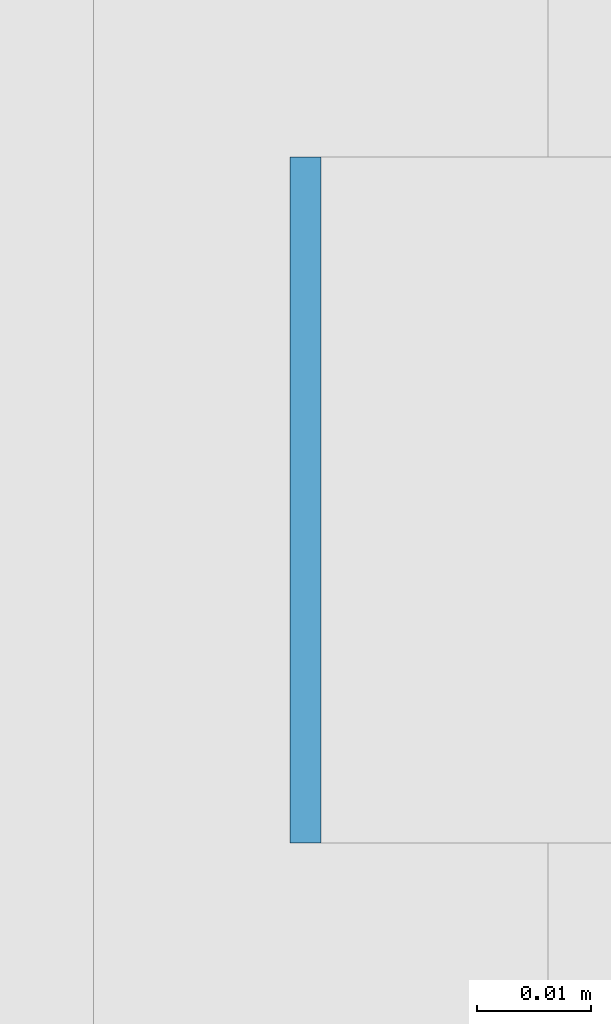
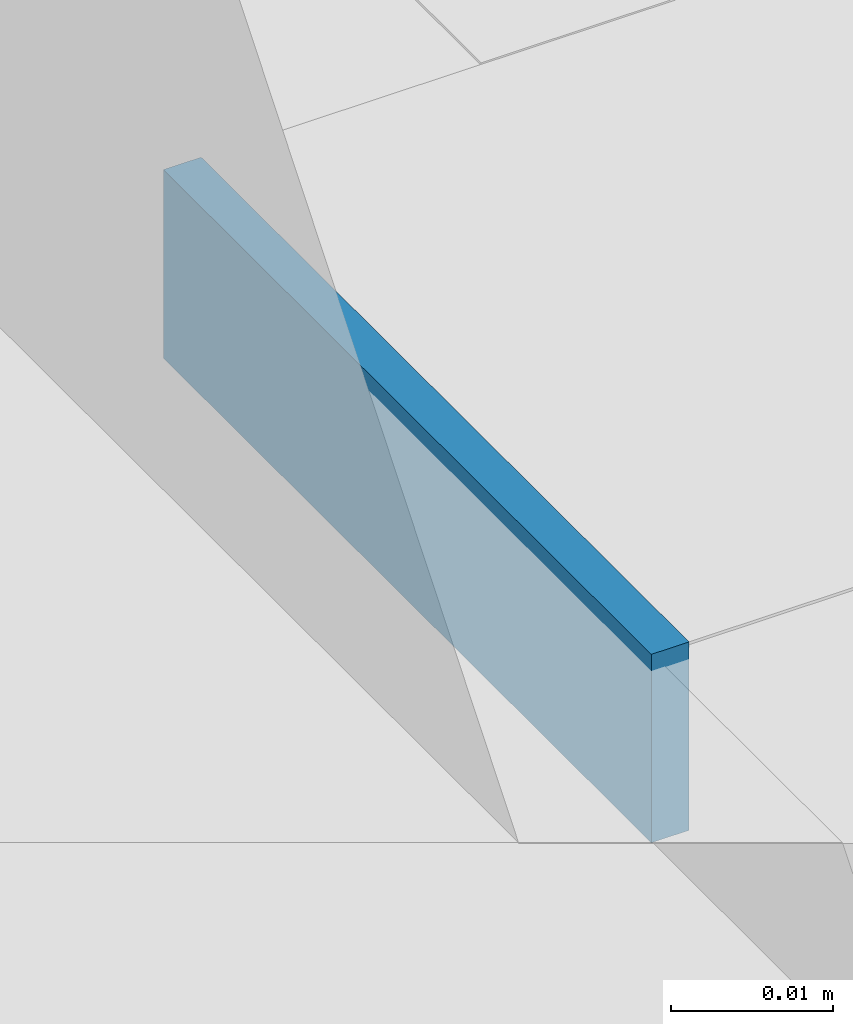
# One storey, part 599 of 646: 1 discrete accessory.
"""IFC4 building model written with IfcOpenShell, lengths in metres."""

from ifc_helpers import new_model, si_unit, direction, frame, origin, origin_2d, place, context, subcontext, project, spatial, rectangle, extrude, material, type_object, element, save


model = new_model("IFC4")

# Units and contexts
model_context = context("Model", 3, precision=1e-05, world=origin(), true_north=direction((0.0, 1.0)))
body_context = subcontext(model_context, "Body", "Model", "MODEL_VIEW")
ifc_project = project(units=[si_unit("LENGTHUNIT", "METRE"), si_unit("AREAUNIT", "SQUARE_METRE"), si_unit("VOLUMEUNIT", "CUBIC_METRE"), si_unit("PLANEANGLEUNIT", "RADIAN"), si_unit("MASSUNIT", "GRAM", prefix="KILO")], contexts=[model_context])

# Site, building, storey
site_placement = place(None, origin())
site = spatial("IfcSite", under=ifc_project, at=site_placement, CompositionType="ELEMENT")
building_placement = place(site_placement, origin())
building = spatial("IfcBuilding", under=site, at=building_placement, Name="Silverbay Arena", CompositionType="ELEMENT")
storey_placement = place(building_placement, frame((0.0, 0.0, 33.5)))
storey = spatial("IfcBuildingStorey", under=building, at=storey_placement, Name="L05", CompositionType="ELEMENT", Elevation=33.5)

# Discrete accessory
ifc_material = material(Name="Steel S355", Category="steel")
discrete_accessory_type = type_object("IfcDiscreteAccessoryType", Name="Steel bracket plate", PredefinedType="BRACKET", material=ifc_material)
discrete_accessory_placement = place(storey_placement, frame((207.128662109375, 123.428466796875, 12.98583984375), z_axis=(0.0, 0.0, 1.0), x_axis=(1.0, 0.0, 0.0)))
element("IfcDiscreteAccessory", 1, at=discrete_accessory_placement, inside=storey, type_object=discrete_accessory_type, Name="Curtain wall packing plate", PredefinedType="BRACKET", context=body_context, shape_type="SweptSolid", body=[
    extrude(rectangle(XDim=0.002685546875, YDim=0.06005859375, at=origin_2d()), origin(), (0.0, 0.0, 1.0), 0.01416015625),
])

save(model, "model.ifc")
